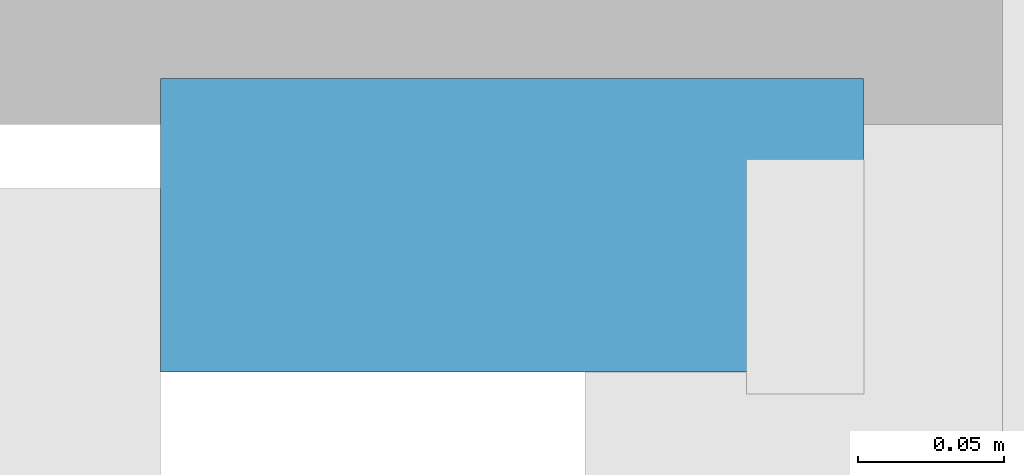
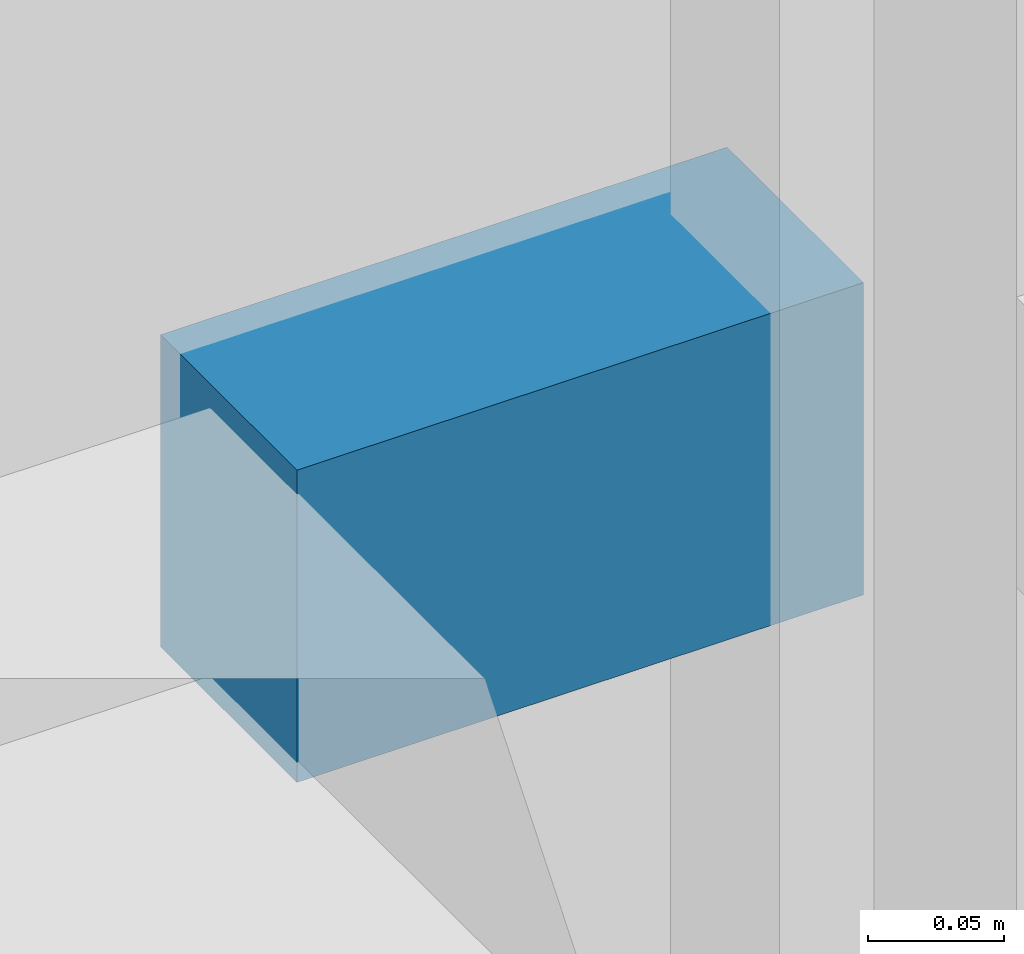
# One storey, part 21 of 36: 1 discrete accessory.
"""IFC4 building model written with IfcOpenShell, lengths in metres."""

import ifcopenshell
import ifcopenshell.guid

model = None  # the IFC model being written
_history = None  # IfcOwnerHistory: only IFC2X3 demands one
_inside = {}  # id of a spatial element -> (the spatial element, [elements in it])
_under = {}  # id of a project, library or spatial element -> (it, [spatial elements below it])
_declared = {}  # id of a project -> (the project, [libraries it declares])
_typed = {}  # id of a type object -> (the type object, [elements of that type])
_made_of = {}  # id of a material, layer set ... -> (it, [elements and type objects made of it])


def new_model(schema):
    """Start an empty IFC model of exactly this schema.

    Asked for "IFC4X3", IfcOpenShell would pick the latest addendum, in which some entities
    have other attributes; the version numbers below select the first issue.
    IFC2X3 requires an IfcOwnerHistory on every rooted entity: one is made here for all.
    """
    global model, _history
    if schema == "IFC4X3":
        model = ifcopenshell.file(schema_version=(4, 3, 0, 0))
    else:
        model = ifcopenshell.file(schema=schema)
    _inside.clear()
    _under.clear()
    _declared.clear()
    _typed.clear()
    _made_of.clear()
    _history = None
    if model.schema == "IFC2X3":
        org = make("IfcOrganization", Name="unknown")
        user = make(
            "IfcPersonAndOrganization",
            ThePerson=make("IfcPerson", FamilyName="unknown"),
            TheOrganization=org,
        )
        app = make(
            "IfcApplication",
            ApplicationDeveloper=org,
            Version="unknown",
            ApplicationFullName="unknown",
            ApplicationIdentifier="unknown",
        )
        _history = make(
            "IfcOwnerHistory",
            OwningUser=user,
            OwningApplication=app,
            ChangeAction="ADDED",
            CreationDate=0,
        )
    return model


def make(cls, **values):
    """One entity of the class cls with the attributes given. An attribute that is None is left unset."""
    return model.create_entity(
        cls, **{name: value for name, value in values.items() if value is not None}
    )


def rooted(cls, **values):
    """An entity with a GlobalId (a new one), such as an element, a storey or a relation."""
    return make(cls, GlobalId=ifcopenshell.guid.new(), OwnerHistory=_history, **values)


def si_unit(unit_type, name, prefix=None):
    """IfcSIUnit, for example si_unit("LENGTHUNIT", "METRE", prefix="MILLI")."""
    return make("IfcSIUnit", UnitType=unit_type, Prefix=prefix, Name=name)


def assignment(units):
    """IfcUnitAssignment: the units of a project."""
    return None if units is None else make("IfcUnitAssignment", Units=units)


def point(xyz):
    """IfcCartesianPoint."""
    return None if xyz is None else make("IfcCartesianPoint", Coordinates=xyz)


def direction(xyz):
    """IfcDirection."""
    return None if xyz is None else make("IfcDirection", DirectionRatios=xyz)


def frame(location, z_axis=None, x_axis=None):
    """IfcAxis2Placement3D, a coordinate frame: its origin and axes. An axis left out is left unset."""
    return make(
        "IfcAxis2Placement3D",
        Location=point(location),
        Axis=direction(z_axis),
        RefDirection=direction(x_axis),
    )


def frame_2d(location, x_axis=None):
    """IfcAxis2Placement2D, a coordinate frame in the plane: its origin and x axis."""
    return make(
        "IfcAxis2Placement2D", Location=point(location), RefDirection=direction(x_axis)
    )


def origin():
    """The frame at (0, 0, 0) with its axes left unset."""
    return frame((0.0, 0.0, 0.0))


def origin_2d():
    """The frame at (0, 0) in the plane with its x axis left unset."""
    return frame_2d((0.0, 0.0))


def place(relative_to, where):
    """IfcLocalPlacement: puts the frame where relative to a parent placement (None: the world)."""
    return make(
        "IfcLocalPlacement", PlacementRelTo=relative_to, RelativePlacement=where
    )


def context(
    kind, dimensions, precision=None, world=None, true_north=None, identifier=None
):
    """IfcGeometricRepresentationContext, for example the 3D "Model" context."""
    return make(
        "IfcGeometricRepresentationContext",
        ContextIdentifier=identifier,
        ContextType=kind,
        CoordinateSpaceDimension=dimensions,
        Precision=precision,
        WorldCoordinateSystem=world,
        TrueNorth=true_north,
    )


def subcontext(parent, identifier, kind, view, scale=None):
    """IfcGeometricRepresentationSubContext, for example "Body" below "Model"."""
    return make(
        "IfcGeometricRepresentationSubContext",
        ContextIdentifier=identifier,
        ContextType=kind,
        ParentContext=parent,
        TargetScale=scale,
        TargetView=view,
    )


def project(units=None, contexts=None):
    """IfcProject with its units and contexts."""
    return rooted(
        "IfcProject",
        Name="project",
        RepresentationContexts=contexts,
        UnitsInContext=assignment(units),
    )


def spatial(cls, under=None, at=None, **own):
    """A site, building, storey or space (cls), placed at a placement, below another one or the project."""
    s = rooted(cls, ObjectPlacement=at, **own)
    if under is not None:
        _under.setdefault(under.id(), (under, []))[1].append(s)
    return s


def profile(cls, at=None, kind="AREA", **sizes):
    """A parametric profile (cls). Its sizes go by their IFC names, for example OverallWidth=200.0."""
    return make(cls, ProfileType=kind, Position=at, **sizes)


def rectangle(**sizes):
    """IfcRectangleProfileDef."""
    return profile("IfcRectangleProfileDef", **sizes)


def extrude(swept, where, along, depth):
    """IfcExtrudedAreaSolid: the profile swept, set in the frame where, extruded along a direction by depth."""
    return make(
        "IfcExtrudedAreaSolid",
        SweptArea=swept,
        Position=where,
        ExtrudedDirection=direction(along),
        Depth=depth,
    )


def shape(context_of_items, identifier, shape_type, items):
    """IfcShapeRepresentation: the items that make up one representation, for example the "Body"."""
    return make(
        "IfcShapeRepresentation",
        ContextOfItems=context_of_items,
        RepresentationIdentifier=identifier,
        RepresentationType=shape_type,
        Items=items,
    )


def material(Name=None, Category=None):
    """IfcMaterial."""
    return make("IfcMaterial", Name=Name, Category=Category)


def made_of(thing, what):
    """Note that an element or type object is made of a material, layer set ...; save() writes the relation."""
    if what is not None:
        _made_of.setdefault(what.id(), (what, []))[1].append(thing)
    return thing


def type_object(cls, material=None, **own):
    """A type object (cls), such as IfcWallType, which elements share."""
    return made_of(rooted(cls, **own), material)


def element(
    cls,
    number,
    at=None,
    inside=None,
    cuts=None,
    type_object=None,
    material=None,
    context=None,
    identifier="Body",
    shape_type=None,
    held_by="IfcProductDefinitionShape",
    body=None,
    shapes=None,
    **own,
):
    """One element of the class cls, such as IfcWall. Its Tag is "e" and its number.

    at: its placement. inside: the storey or other place that contains it. cuts: it is an
    opening in that element (IfcRelVoidsElement). A single representation is given by context,
    identifier, shape_type and body (its items); several are given by shapes. held_by: the class
    of the entity that holds the representations. save() writes the other relations.
    """
    e = rooted(cls, Tag="e%d" % number, ObjectPlacement=at, **own)
    if body is not None:
        shapes = [shape(context, identifier, shape_type, body)]
    if shapes is not None:
        e.Representation = make(held_by, Representations=shapes)
    if inside is not None:
        _inside.setdefault(inside.id(), (inside, []))[1].append(e)
    if cuts is not None:
        rooted(
            "IfcRelVoidsElement", RelatingBuildingElement=cuts, RelatedOpeningElement=e
        )
    if type_object is not None:
        _typed.setdefault(type_object.id(), (type_object, []))[1].append(e)
    return made_of(e, material)


def aggregate(whole, parts):
    """IfcRelAggregates: a whole, such as a stair, and the parts it consists of."""
    return rooted("IfcRelAggregates", RelatingObject=whole, RelatedObjects=parts)


def save(model, path):
    """Write the relations noted so far, then the file.

    IfcRelAggregates (storeys below a building ...), IfcRelContainedInSpatialStructure (elements
    in a storey), IfcRelDefinesByType, IfcRelAssociatesMaterial and IfcRelDeclares: one each for
    every whole, place, type object, material and project.
    """
    for whole, parts in _under.values():
        aggregate(whole, parts)
    for where, things in _inside.values():
        rooted(
            "IfcRelContainedInSpatialStructure",
            RelatedElements=things,
            RelatingStructure=where,
        )
    for kind, things in _typed.values():
        rooted("IfcRelDefinesByType", RelatedObjects=things, RelatingType=kind)
    for what, things in _made_of.values():
        rooted("IfcRelAssociatesMaterial", RelatedObjects=things, RelatingMaterial=what)
    for by, libraries in _declared.values():
        rooted("IfcRelDeclares", RelatingContext=by, RelatedDefinitions=libraries)
    model.write(path)


model = new_model("IFC4")

# Units and contexts
model_context = context("Model", 3, precision=1e-05, world=origin(), true_north=direction((0.0, 1.0)))
body_context = subcontext(model_context, "Body", "Model", "MODEL_VIEW")
ifc_project = project(units=[si_unit("LENGTHUNIT", "METRE"), si_unit("AREAUNIT", "SQUARE_METRE"), si_unit("VOLUMEUNIT", "CUBIC_METRE"), si_unit("PLANEANGLEUNIT", "RADIAN"), si_unit("MASSUNIT", "GRAM", prefix="KILO")], contexts=[model_context])

# Site, building, storey
site_placement = place(None, origin())
site = spatial("IfcSite", under=ifc_project, at=site_placement, CompositionType="ELEMENT")
building_placement = place(site_placement, origin())
building = spatial("IfcBuilding", under=site, at=building_placement, Name="Telukmera Botanical Conservatory", CompositionType="ELEMENT")
storey_placement = place(building_placement, frame((0.0, 0.0, 24.0)))
storey = spatial("IfcBuildingStorey", under=building, at=storey_placement, Name="L05", CompositionType="ELEMENT", Elevation=24.0)

# Discrete accessory
ifc_material = material(Name="Steel S355", Category="steel")
discrete_accessory_type = type_object("IfcDiscreteAccessoryType", Name="Structural Steel Facade Outrigger Fin Bracket", PredefinedType="BRACKET", material=ifc_material)
discrete_accessory_placement = place(storey_placement, frame((50.199951171875, 42.340576171875, 0.8798828125), z_axis=(0.0, 0.0, 1.0), x_axis=(0.0, 1.0, 0.0)))
element("IfcDiscreteAccessory", 1, at=discrete_accessory_placement, inside=storey, type_object=discrete_accessory_type, Name="Facade Outrigger Bracket V4:L05:W4 B", PredefinedType="BRACKET", context=body_context, shape_type="SweptSolid", body=[
    extrude(rectangle(XDim=0.10009765625, YDim=0.239990234375, at=origin_2d()), origin(), (0.0, 0.0, 1.0), 0.139892578125),
])

save(model, "model.ifc")
